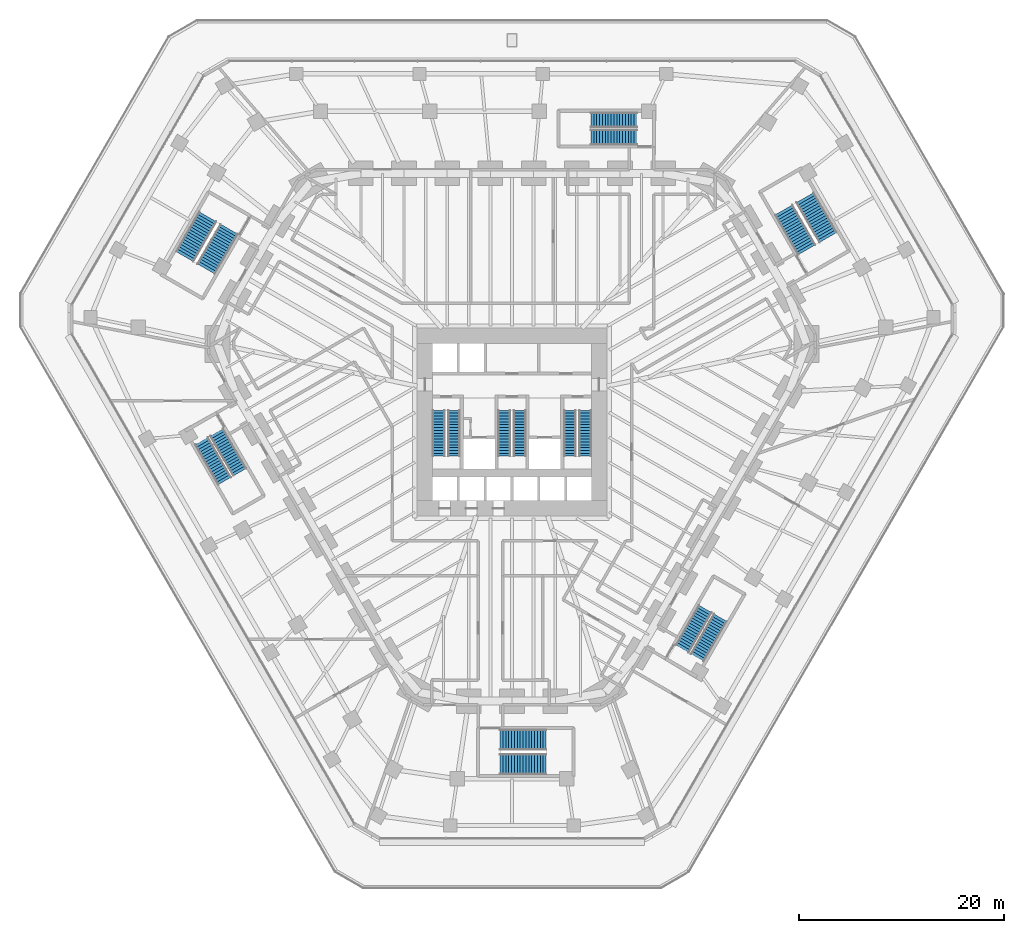
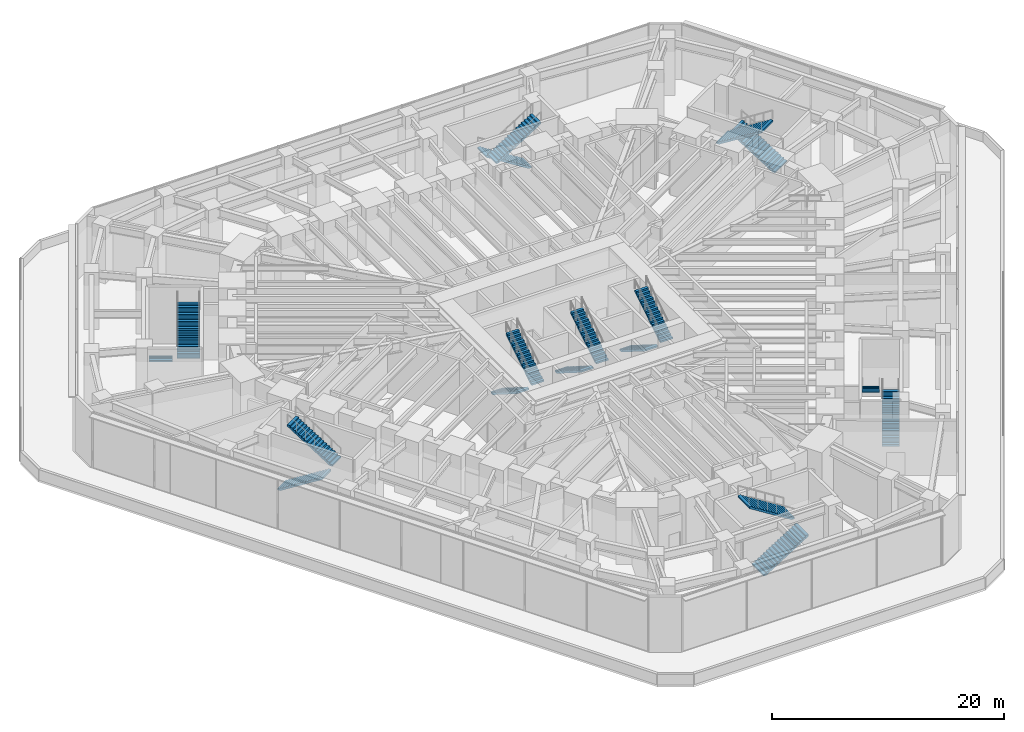
# One storey, part 21 of 25: 18 stair flights, 9 elements without a shape of their own.
"""IFC4 building model written with IfcOpenShell, lengths in metres."""

from ifc_helpers import new_model, si_unit, direction, frame, origin, place, context, subcontext, project, spatial, polyline, outline, extrude, material, type_object, element, aggregate, save


model = new_model("IFC4")

# Units and contexts
model_context = context("Model", 3, precision=1e-05, world=origin(), true_north=direction((0.0, 1.0)))
body_context = subcontext(model_context, "Body", "Model", "MODEL_VIEW")
ifc_project = project(units=[si_unit("LENGTHUNIT", "METRE"), si_unit("AREAUNIT", "SQUARE_METRE"), si_unit("VOLUMEUNIT", "CUBIC_METRE"), si_unit("PLANEANGLEUNIT", "RADIAN"), si_unit("MASSUNIT", "GRAM", prefix="KILO")], contexts=[model_context])

# Site, building, storey
site_placement = place(None, origin())
site = spatial("IfcSite", under=ifc_project, at=site_placement, CompositionType="ELEMENT")
building_placement = place(site_placement, origin())
building = spatial("IfcBuilding", under=site, at=building_placement, Name="Sandreach Pilgrim Tower", CompositionType="ELEMENT")
storey_placement = place(building_placement, frame((0.0, 0.0, 6.0)))
storey = spatial("IfcBuildingStorey", under=building, at=storey_placement, Name="L01", CompositionType="ELEMENT", Elevation=6.0)

# Stair, stair flights
ifc_material_1 = material(Name="Concrete 8000 psi", Category="concrete")
stair_type_1 = type_object("IfcStairType", Name="Core exit stair", PredefinedType="HALF_TURN_STAIR", material=ifc_material_1)
stair_1_placement = place(storey_placement, origin())
stair_1 = element("IfcStair", 1, at=stair_1_placement, inside=storey, type_object=stair_type_1, Name="Exit stair ST1 L01", PredefinedType="HALF_TURN_STAIR")
ifc_material_2 = material(Name="Concrete 8000 psi", Category="concrete")
stair_flight_type_1 = type_object("IfcStairFlightType", Name="Core stair flight 1200", PredefinedType="STRAIGHT", material=ifc_material_2)
stair_flight_1_placement = place(storey_placement, frame((-7.14990234375, -0.39990234375, 0.0), z_axis=(0.0, 0.0, 1.0), x_axis=(0.0, -1.0, 0.0)))
stair_flight_1 = element("IfcStairFlight", 2, at=stair_flight_1_placement, type_object=stair_flight_type_1, Name="ST1 flight 1", NumberOfRisers=17, NumberOfTreads=16, PredefinedType="STRAIGHT", RiserHeight=0.176470588, TreadLength=0.28, context=body_context, shape_type="SweptSolid", body=[
    extrude(outline(polyline([(0.0, 0.0), (0.0, 0.176513671875), (0.280029296875, 0.176513671875), (0.280029296875, 0.35302734375), (0.56005859375, 0.35302734375), (0.56005859375, 0.529296875), (0.840087890625, 0.529296875), (0.840087890625, 0.705810546875), (1.1201171875, 0.705810546875), (1.1201171875, 0.88232421875), (1.39990234375, 0.88232421875), (1.39990234375, 1.058837890625), (1.679931640625, 1.058837890625), (1.679931640625, 1.2353515625), (1.9599609375, 1.2353515625), (1.9599609375, 1.411865234375), (2.239990234375, 1.411865234375), (2.239990234375, 1.588134765625), (2.52001953125, 1.588134765625), (2.52001953125, 1.7646484375), (2.800048828125, 1.7646484375), (2.800048828125, 1.941162109375), (3.080078125, 1.941162109375), (3.080078125, 2.11767578125), (3.360107421875, 2.11767578125), (3.360107421875, 2.294189453125), (3.639892578125, 2.294189453125), (3.639892578125, 2.470703125), (3.919921875, 2.470703125), (3.919921875, 2.64697265625), (4.199951171875, 2.64697265625), (4.199951171875, 2.823486328125), (4.47998046875, 2.823486328125), (4.47998046875, 3.0), (4.47998046875, 2.646240234375), (0.28125, 0.0), (0.0, 0.0)])), frame((0.0, 0.60009765625, 0.0), z_axis=(0.0, -1.0, 0.0), x_axis=(1.0, 0.0, 0.0)), (0.0, 0.0, 1.0), 1.199951171875),
])
stair_flight_2_placement = place(storey_placement, frame((-5.64990234375, -4.8798828125, 3.0), z_axis=(0.0, 0.0, 1.0), x_axis=(0.0, 1.0, 0.0)))
stair_flight_2 = element("IfcStairFlight", 3, at=stair_flight_2_placement, type_object=stair_flight_type_1, Name="ST1 flight 2", NumberOfRisers=17, NumberOfTreads=16, PredefinedType="STRAIGHT", RiserHeight=0.176470588, TreadLength=0.28, context=body_context, shape_type="SweptSolid", body=[
    extrude(outline(polyline([(0.0, 0.0), (0.0, 0.176513671875), (0.280029296875, 0.176513671875), (0.280029296875, 0.35302734375), (0.56005859375, 0.35302734375), (0.56005859375, 0.529296875), (0.840087890625, 0.529296875), (0.840087890625, 0.705810546875), (1.1201171875, 0.705810546875), (1.1201171875, 0.88232421875), (1.39990234375, 0.88232421875), (1.39990234375, 1.058837890625), (1.679931640625, 1.058837890625), (1.679931640625, 1.2353515625), (1.9599609375, 1.2353515625), (1.9599609375, 1.411865234375), (2.239990234375, 1.411865234375), (2.239990234375, 1.588134765625), (2.52001953125, 1.588134765625), (2.52001953125, 1.7646484375), (2.800048828125, 1.7646484375), (2.800048828125, 1.941162109375), (3.080078125, 1.941162109375), (3.080078125, 2.11767578125), (3.360107421875, 2.11767578125), (3.360107421875, 2.294189453125), (3.639892578125, 2.294189453125), (3.639892578125, 2.470703125), (3.919921875, 2.470703125), (3.919921875, 2.64697265625), (4.199951171875, 2.64697265625), (4.199951171875, 2.823486328125), (4.47998046875, 2.823486328125), (4.47998046875, 3.0), (4.47998046875, 2.646240234375), (0.28125, 0.0), (0.0, 0.0)])), frame((0.0, 0.60009765625, 0.0), z_axis=(0.0, -1.0, 0.0), x_axis=(1.0, 0.0, 0.0)), (0.0, 0.0, 1.0), 1.199951171875),
])
aggregate(stair_1, [stair_flight_1, stair_flight_2])

stair_2_placement = place(storey_placement, origin())
stair_2 = element("IfcStair", 4, at=stair_2_placement, inside=storey, type_object=stair_type_1, Name="Exit stair ST3 L01", PredefinedType="HALF_TURN_STAIR")
stair_flight_3_placement = place(storey_placement, frame((-0.75, -0.39990234375, 0.0), z_axis=(0.0, 0.0, 1.0), x_axis=(0.0, -1.0, 0.0)))
stair_flight_3 = element("IfcStairFlight", 5, at=stair_flight_3_placement, type_object=stair_flight_type_1, Name="ST3 flight 1", NumberOfRisers=17, NumberOfTreads=16, PredefinedType="STRAIGHT", RiserHeight=0.176470588, TreadLength=0.28, context=body_context, shape_type="SweptSolid", body=[
    extrude(outline(polyline([(0.0, 0.0), (0.0, 0.176513671875), (0.280029296875, 0.176513671875), (0.280029296875, 0.35302734375), (0.56005859375, 0.35302734375), (0.56005859375, 0.529296875), (0.840087890625, 0.529296875), (0.840087890625, 0.705810546875), (1.1201171875, 0.705810546875), (1.1201171875, 0.88232421875), (1.39990234375, 0.88232421875), (1.39990234375, 1.058837890625), (1.679931640625, 1.058837890625), (1.679931640625, 1.2353515625), (1.9599609375, 1.2353515625), (1.9599609375, 1.411865234375), (2.239990234375, 1.411865234375), (2.239990234375, 1.588134765625), (2.52001953125, 1.588134765625), (2.52001953125, 1.7646484375), (2.800048828125, 1.7646484375), (2.800048828125, 1.941162109375), (3.080078125, 1.941162109375), (3.080078125, 2.11767578125), (3.360107421875, 2.11767578125), (3.360107421875, 2.294189453125), (3.639892578125, 2.294189453125), (3.639892578125, 2.470703125), (3.919921875, 2.470703125), (3.919921875, 2.64697265625), (4.199951171875, 2.64697265625), (4.199951171875, 2.823486328125), (4.47998046875, 2.823486328125), (4.47998046875, 3.0), (4.47998046875, 2.646240234375), (0.28125, 0.0), (0.0, 0.0)])), frame((0.0, 0.60009765625, 0.0), z_axis=(0.0, -1.0, 0.0), x_axis=(1.0, 0.0, 0.0)), (0.0, 0.0, 1.0), 1.199951171875),
])
stair_flight_4_placement = place(storey_placement, frame((0.75, -4.8798828125, 3.0), z_axis=(0.0, 0.0, 1.0), x_axis=(0.0, 1.0, 0.0)))
stair_flight_4 = element("IfcStairFlight", 6, at=stair_flight_4_placement, type_object=stair_flight_type_1, Name="ST3 flight 2", NumberOfRisers=17, NumberOfTreads=16, PredefinedType="STRAIGHT", RiserHeight=0.176470588, TreadLength=0.28, context=body_context, shape_type="SweptSolid", body=[
    extrude(outline(polyline([(0.0, 0.0), (0.0, 0.176513671875), (0.280029296875, 0.176513671875), (0.280029296875, 0.35302734375), (0.56005859375, 0.35302734375), (0.56005859375, 0.529296875), (0.840087890625, 0.529296875), (0.840087890625, 0.705810546875), (1.1201171875, 0.705810546875), (1.1201171875, 0.88232421875), (1.39990234375, 0.88232421875), (1.39990234375, 1.058837890625), (1.679931640625, 1.058837890625), (1.679931640625, 1.2353515625), (1.9599609375, 1.2353515625), (1.9599609375, 1.411865234375), (2.239990234375, 1.411865234375), (2.239990234375, 1.588134765625), (2.52001953125, 1.588134765625), (2.52001953125, 1.7646484375), (2.800048828125, 1.7646484375), (2.800048828125, 1.941162109375), (3.080078125, 1.941162109375), (3.080078125, 2.11767578125), (3.360107421875, 2.11767578125), (3.360107421875, 2.294189453125), (3.639892578125, 2.294189453125), (3.639892578125, 2.470703125), (3.919921875, 2.470703125), (3.919921875, 2.64697265625), (4.199951171875, 2.64697265625), (4.199951171875, 2.823486328125), (4.47998046875, 2.823486328125), (4.47998046875, 3.0), (4.47998046875, 2.646240234375), (0.28125, 0.0), (0.0, 0.0)])), frame((0.0, 0.60009765625, 0.0), z_axis=(0.0, -1.0, 0.0), x_axis=(1.0, 0.0, 0.0)), (0.0, 0.0, 1.0), 1.199951171875),
])
aggregate(stair_2, [stair_flight_3, stair_flight_4])

stair_3_placement = place(storey_placement, origin())
stair_3 = element("IfcStair", 7, at=stair_3_placement, inside=storey, type_object=stair_type_1, Name="Exit stair ST2 L01", PredefinedType="HALF_TURN_STAIR")
stair_flight_5_placement = place(storey_placement, frame((5.64990234375, -0.39990234375, 0.0), z_axis=(0.0, 0.0, 1.0), x_axis=(0.0, -1.0, 0.0)))
stair_flight_5 = element("IfcStairFlight", 8, at=stair_flight_5_placement, type_object=stair_flight_type_1, Name="ST2 flight 1", NumberOfRisers=17, NumberOfTreads=16, PredefinedType="STRAIGHT", RiserHeight=0.176470588, TreadLength=0.28, context=body_context, shape_type="SweptSolid", body=[
    extrude(outline(polyline([(0.0, 0.0), (0.0, 0.176513671875), (0.280029296875, 0.176513671875), (0.280029296875, 0.35302734375), (0.56005859375, 0.35302734375), (0.56005859375, 0.529296875), (0.840087890625, 0.529296875), (0.840087890625, 0.705810546875), (1.1201171875, 0.705810546875), (1.1201171875, 0.88232421875), (1.39990234375, 0.88232421875), (1.39990234375, 1.058837890625), (1.679931640625, 1.058837890625), (1.679931640625, 1.2353515625), (1.9599609375, 1.2353515625), (1.9599609375, 1.411865234375), (2.239990234375, 1.411865234375), (2.239990234375, 1.588134765625), (2.52001953125, 1.588134765625), (2.52001953125, 1.7646484375), (2.800048828125, 1.7646484375), (2.800048828125, 1.941162109375), (3.080078125, 1.941162109375), (3.080078125, 2.11767578125), (3.360107421875, 2.11767578125), (3.360107421875, 2.294189453125), (3.639892578125, 2.294189453125), (3.639892578125, 2.470703125), (3.919921875, 2.470703125), (3.919921875, 2.64697265625), (4.199951171875, 2.64697265625), (4.199951171875, 2.823486328125), (4.47998046875, 2.823486328125), (4.47998046875, 3.0), (4.47998046875, 2.646240234375), (0.28125, 0.0), (0.0, 0.0)])), frame((0.0, 0.60009765625, 0.0), z_axis=(0.0, -1.0, 0.0), x_axis=(1.0, 0.0, 0.0)), (0.0, 0.0, 1.0), 1.199951171875),
])
stair_flight_6_placement = place(storey_placement, frame((7.14990234375, -4.8798828125, 3.0), z_axis=(0.0, 0.0, 1.0), x_axis=(0.0, 1.0, 0.0)))
stair_flight_6 = element("IfcStairFlight", 9, at=stair_flight_6_placement, type_object=stair_flight_type_1, Name="ST2 flight 2", NumberOfRisers=17, NumberOfTreads=16, PredefinedType="STRAIGHT", RiserHeight=0.176470588, TreadLength=0.28, context=body_context, shape_type="SweptSolid", body=[
    extrude(outline(polyline([(0.0, 0.0), (0.0, 0.176513671875), (0.280029296875, 0.176513671875), (0.280029296875, 0.35302734375), (0.56005859375, 0.35302734375), (0.56005859375, 0.529296875), (0.840087890625, 0.529296875), (0.840087890625, 0.705810546875), (1.1201171875, 0.705810546875), (1.1201171875, 0.88232421875), (1.39990234375, 0.88232421875), (1.39990234375, 1.058837890625), (1.679931640625, 1.058837890625), (1.679931640625, 1.2353515625), (1.9599609375, 1.2353515625), (1.9599609375, 1.411865234375), (2.239990234375, 1.411865234375), (2.239990234375, 1.588134765625), (2.52001953125, 1.588134765625), (2.52001953125, 1.7646484375), (2.800048828125, 1.7646484375), (2.800048828125, 1.941162109375), (3.080078125, 1.941162109375), (3.080078125, 2.11767578125), (3.360107421875, 2.11767578125), (3.360107421875, 2.294189453125), (3.639892578125, 2.294189453125), (3.639892578125, 2.470703125), (3.919921875, 2.470703125), (3.919921875, 2.64697265625), (4.199951171875, 2.64697265625), (4.199951171875, 2.823486328125), (4.47998046875, 2.823486328125), (4.47998046875, 3.0), (4.47998046875, 2.646240234375), (0.28125, 0.0), (0.0, 0.0)])), frame((0.0, 0.60009765625, 0.0), z_axis=(0.0, -1.0, 0.0), x_axis=(1.0, 0.0, 0.0)), (0.0, 0.0, 1.0), 1.199951171875),
])
aggregate(stair_3, [stair_flight_5, stair_flight_6])

ifc_material_3 = material(Name="Concrete 8000 psi", Category="concrete")
stair_type_2 = type_object("IfcStairType", Name="Narrow podium exit stair", PredefinedType="HALF_TURN_STAIR", material=ifc_material_3)
stair_4_placement = place(storey_placement, origin())
stair_4 = element("IfcStair", 10, at=stair_4_placement, inside=storey, type_object=stair_type_2, Name="Exit stair ST7 L01", PredefinedType="HALF_TURN_STAIR")
ifc_material_4 = material(Name="Concrete 8000 psi", Category="concrete")
stair_flight_type_2 = type_object("IfcStairFlightType", Name="Podium stair flight 1500", PredefinedType="STRAIGHT", material=ifc_material_4)
stair_flight_7_placement = place(storey_placement, frame((12.1796875, 27.898681640625, 0.0), z_axis=(0.0, 0.0, 1.0), x_axis=(-1.0, 0.0, 0.0)))
stair_flight_7 = element("IfcStairFlight", 11, at=stair_flight_7_placement, type_object=stair_flight_type_2, Name="ST7 flight 1", NumberOfRisers=17, NumberOfTreads=16, PredefinedType="STRAIGHT", RiserHeight=0.176470588, TreadLength=0.28, context=body_context, shape_type="SweptSolid", body=[
    extrude(outline(polyline([(0.0, 0.0), (0.0, 0.176513671875), (0.280029296875, 0.176513671875), (0.280029296875, 0.35302734375), (0.56005859375, 0.35302734375), (0.56005859375, 0.529296875), (0.840087890625, 0.529296875), (0.840087890625, 0.705810546875), (1.1201171875, 0.705810546875), (1.1201171875, 0.88232421875), (1.39990234375, 0.88232421875), (1.39990234375, 1.058837890625), (1.679931640625, 1.058837890625), (1.679931640625, 1.2353515625), (1.9599609375, 1.2353515625), (1.9599609375, 1.411865234375), (2.239990234375, 1.411865234375), (2.239990234375, 1.588134765625), (2.52001953125, 1.588134765625), (2.52001953125, 1.7646484375), (2.800048828125, 1.7646484375), (2.800048828125, 1.941162109375), (3.080078125, 1.941162109375), (3.080078125, 2.11767578125), (3.360107421875, 2.11767578125), (3.360107421875, 2.294189453125), (3.639892578125, 2.294189453125), (3.639892578125, 2.470703125), (3.919921875, 2.470703125), (3.919921875, 2.64697265625), (4.199951171875, 2.64697265625), (4.199951171875, 2.823486328125), (4.47998046875, 2.823486328125), (4.47998046875, 3.0), (4.47998046875, 2.646240234375), (0.28125, 0.0), (0.0, 0.0)])), frame((0.0, 0.75, 0.0), z_axis=(0.0, -1.0, 0.0), x_axis=(1.0, 0.0, 0.0)), (0.0, 0.0, 1.0), 1.5),
])
stair_flight_8_placement = place(storey_placement, frame((7.69970703125, 26.19873046875, 3.0), z_axis=(0.0, 0.0, 1.0), x_axis=(1.0, 0.0, 0.0)))
stair_flight_8 = element("IfcStairFlight", 12, at=stair_flight_8_placement, type_object=stair_flight_type_2, Name="ST7 flight 2", NumberOfRisers=17, NumberOfTreads=16, PredefinedType="STRAIGHT", RiserHeight=0.176470588, TreadLength=0.28, context=body_context, shape_type="SweptSolid", body=[
    extrude(outline(polyline([(0.0, 0.0), (0.0, 0.176513671875), (0.280029296875, 0.176513671875), (0.280029296875, 0.35302734375), (0.56005859375, 0.35302734375), (0.56005859375, 0.529296875), (0.840087890625, 0.529296875), (0.840087890625, 0.705810546875), (1.1201171875, 0.705810546875), (1.1201171875, 0.88232421875), (1.39990234375, 0.88232421875), (1.39990234375, 1.058837890625), (1.679931640625, 1.058837890625), (1.679931640625, 1.2353515625), (1.9599609375, 1.2353515625), (1.9599609375, 1.411865234375), (2.239990234375, 1.411865234375), (2.239990234375, 1.588134765625), (2.52001953125, 1.588134765625), (2.52001953125, 1.7646484375), (2.800048828125, 1.7646484375), (2.800048828125, 1.941162109375), (3.080078125, 1.941162109375), (3.080078125, 2.11767578125), (3.360107421875, 2.11767578125), (3.360107421875, 2.294189453125), (3.639892578125, 2.294189453125), (3.639892578125, 2.470703125), (3.919921875, 2.470703125), (3.919921875, 2.64697265625), (4.199951171875, 2.64697265625), (4.199951171875, 2.823486328125), (4.47998046875, 2.823486328125), (4.47998046875, 3.0), (4.47998046875, 2.646240234375), (0.28125, 0.0), (0.0, 0.0)])), frame((0.0, 0.75, 0.0), z_axis=(0.0, -1.0, 0.0), x_axis=(1.0, 0.0, 0.0)), (0.0, 0.0, 1.0), 1.5),
])
aggregate(stair_4, [stair_flight_7, stair_flight_8])

stair_5_placement = place(storey_placement, origin())
stair_5 = element("IfcStair", 13, at=stair_5_placement, inside=storey, type_object=stair_type_2, Name="Exit stair ST8 L01", PredefinedType="HALF_TURN_STAIR")
stair_flight_9_placement = place(storey_placement, frame((18.071044921875, -24.497314453125, 0.0), z_axis=(0.0, 0.0, 1.0), x_axis=(0.5, 0.866025403784, 0.0)))
stair_flight_9 = element("IfcStairFlight", 14, at=stair_flight_9_placement, type_object=stair_flight_type_2, Name="ST8 flight 1", NumberOfRisers=17, NumberOfTreads=16, PredefinedType="STRAIGHT", RiserHeight=0.176470588, TreadLength=0.28, context=body_context, shape_type="SweptSolid", body=[
    extrude(outline(polyline([(0.0, 0.0), (0.0, 0.176513671875), (0.280029296875, 0.176513671875), (0.280029296875, 0.35302734375), (0.56005859375, 0.35302734375), (0.56005859375, 0.529296875), (0.840087890625, 0.529296875), (0.840087890625, 0.705810546875), (1.1201171875, 0.705810546875), (1.1201171875, 0.88232421875), (1.39990234375, 0.88232421875), (1.39990234375, 1.058837890625), (1.679931640625, 1.058837890625), (1.679931640625, 1.2353515625), (1.9599609375, 1.2353515625), (1.9599609375, 1.411865234375), (2.239990234375, 1.411865234375), (2.239990234375, 1.588134765625), (2.52001953125, 1.588134765625), (2.52001953125, 1.7646484375), (2.800048828125, 1.7646484375), (2.800048828125, 1.941162109375), (3.080078125, 1.941162109375), (3.080078125, 2.11767578125), (3.360107421875, 2.11767578125), (3.360107421875, 2.294189453125), (3.639892578125, 2.294189453125), (3.639892578125, 2.470703125), (3.919921875, 2.470703125), (3.919921875, 2.64697265625), (4.199951171875, 2.64697265625), (4.199951171875, 2.823486328125), (4.47998046875, 2.823486328125), (4.47998046875, 3.0), (4.47998046875, 2.646240234375), (0.28125, 0.0), (0.0, 0.0)])), frame((0.0, 0.75, 0.0), z_axis=(0.0, -1.0, 0.0), x_axis=(1.0, 0.0, 0.0)), (0.0, 0.0, 1.0), 1.5),
])
stair_flight_10_placement = place(storey_placement, frame((18.8388671875, -19.767578125, 3.0), z_axis=(0.0, 0.0, 1.0), x_axis=(-0.5, -0.866025403784, 0.0)))
stair_flight_10 = element("IfcStairFlight", 15, at=stair_flight_10_placement, type_object=stair_flight_type_2, Name="ST8 flight 2", NumberOfRisers=17, NumberOfTreads=16, PredefinedType="STRAIGHT", RiserHeight=0.176470588, TreadLength=0.28, context=body_context, shape_type="SweptSolid", body=[
    extrude(outline(polyline([(0.0, 0.0), (0.0, 0.176513671875), (0.280029296875, 0.176513671875), (0.280029296875, 0.35302734375), (0.56005859375, 0.35302734375), (0.56005859375, 0.529296875), (0.840087890625, 0.529296875), (0.840087890625, 0.705810546875), (1.1201171875, 0.705810546875), (1.1201171875, 0.88232421875), (1.39990234375, 0.88232421875), (1.39990234375, 1.058837890625), (1.679931640625, 1.058837890625), (1.679931640625, 1.2353515625), (1.9599609375, 1.2353515625), (1.9599609375, 1.411865234375), (2.239990234375, 1.411865234375), (2.239990234375, 1.588134765625), (2.52001953125, 1.588134765625), (2.52001953125, 1.7646484375), (2.800048828125, 1.7646484375), (2.800048828125, 1.941162109375), (3.080078125, 1.941162109375), (3.080078125, 2.11767578125), (3.360107421875, 2.11767578125), (3.360107421875, 2.294189453125), (3.639892578125, 2.294189453125), (3.639892578125, 2.470703125), (3.919921875, 2.470703125), (3.919921875, 2.64697265625), (4.199951171875, 2.64697265625), (4.199951171875, 2.823486328125), (4.47998046875, 2.823486328125), (4.47998046875, 3.0), (4.47998046875, 2.646240234375), (0.28125, 0.0), (0.0, 0.0)])), frame((0.0, 0.75, 0.0), z_axis=(0.0, -1.0, 0.0), x_axis=(1.0, 0.0, 0.0)), (0.0, 0.0, 1.0), 1.5),
])
aggregate(stair_5, [stair_flight_9, stair_flight_10])

stair_6_placement = place(storey_placement, origin())
stair_6 = element("IfcStair", 16, at=stair_6_placement, inside=storey, type_object=stair_type_2, Name="Exit stair ST9 L01", PredefinedType="HALF_TURN_STAIR")
stair_flight_11_placement = place(storey_placement, frame((-30.2509765625, -3.4013671875, 0.0), z_axis=(0.0, 0.0, 1.0), x_axis=(0.5, -0.866025403784, 0.0)))
stair_flight_11 = element("IfcStairFlight", 17, at=stair_flight_11_placement, type_object=stair_flight_type_2, Name="ST9 flight 1", NumberOfRisers=17, NumberOfTreads=16, PredefinedType="STRAIGHT", RiserHeight=0.176470588, TreadLength=0.28, context=body_context, shape_type="SweptSolid", body=[
    extrude(outline(polyline([(0.0, 0.0), (0.0, 0.176513671875), (0.280029296875, 0.176513671875), (0.280029296875, 0.35302734375), (0.56005859375, 0.35302734375), (0.56005859375, 0.529296875), (0.840087890625, 0.529296875), (0.840087890625, 0.705810546875), (1.1201171875, 0.705810546875), (1.1201171875, 0.88232421875), (1.39990234375, 0.88232421875), (1.39990234375, 1.058837890625), (1.679931640625, 1.058837890625), (1.679931640625, 1.2353515625), (1.9599609375, 1.2353515625), (1.9599609375, 1.411865234375), (2.239990234375, 1.411865234375), (2.239990234375, 1.588134765625), (2.52001953125, 1.588134765625), (2.52001953125, 1.7646484375), (2.800048828125, 1.7646484375), (2.800048828125, 1.941162109375), (3.080078125, 1.941162109375), (3.080078125, 2.11767578125), (3.360107421875, 2.11767578125), (3.360107421875, 2.294189453125), (3.639892578125, 2.294189453125), (3.639892578125, 2.470703125), (3.919921875, 2.470703125), (3.919921875, 2.64697265625), (4.199951171875, 2.64697265625), (4.199951171875, 2.823486328125), (4.47998046875, 2.823486328125), (4.47998046875, 3.0), (4.47998046875, 2.646240234375), (0.28125, 0.0), (0.0, 0.0)])), frame((0.0, 0.75, 0.0), z_axis=(0.0, -1.0, 0.0), x_axis=(1.0, 0.0, 0.0)), (0.0, 0.0, 1.0), 1.5),
])
stair_flight_12_placement = place(storey_placement, frame((-26.53857421875, -6.43115234375, 3.0), z_axis=(0.0, 0.0, 1.0), x_axis=(-0.5, 0.866025403784, 0.0)))
stair_flight_12 = element("IfcStairFlight", 18, at=stair_flight_12_placement, type_object=stair_flight_type_2, Name="ST9 flight 2", NumberOfRisers=17, NumberOfTreads=16, PredefinedType="STRAIGHT", RiserHeight=0.176470588, TreadLength=0.28, context=body_context, shape_type="SweptSolid", body=[
    extrude(outline(polyline([(0.0, 0.0), (0.0, 0.176513671875), (0.280029296875, 0.176513671875), (0.280029296875, 0.35302734375), (0.56005859375, 0.35302734375), (0.56005859375, 0.529296875), (0.840087890625, 0.529296875), (0.840087890625, 0.705810546875), (1.1201171875, 0.705810546875), (1.1201171875, 0.88232421875), (1.39990234375, 0.88232421875), (1.39990234375, 1.058837890625), (1.679931640625, 1.058837890625), (1.679931640625, 1.2353515625), (1.9599609375, 1.2353515625), (1.9599609375, 1.411865234375), (2.239990234375, 1.411865234375), (2.239990234375, 1.588134765625), (2.52001953125, 1.588134765625), (2.52001953125, 1.7646484375), (2.800048828125, 1.7646484375), (2.800048828125, 1.941162109375), (3.080078125, 1.941162109375), (3.080078125, 2.11767578125), (3.360107421875, 2.11767578125), (3.360107421875, 2.294189453125), (3.639892578125, 2.294189453125), (3.639892578125, 2.470703125), (3.919921875, 2.470703125), (3.919921875, 2.64697265625), (4.199951171875, 2.64697265625), (4.199951171875, 2.823486328125), (4.47998046875, 2.823486328125), (4.47998046875, 3.0), (4.47998046875, 2.646240234375), (0.28125, 0.0), (0.0, 0.0)])), frame((0.0, 0.75, 0.0), z_axis=(0.0, -1.0, 0.0), x_axis=(1.0, 0.0, 0.0)), (0.0, 0.0, 1.0), 1.5),
])
aggregate(stair_6, [stair_flight_11, stair_flight_12])

ifc_material_5 = material(Name="Concrete 8000 psi", Category="concrete")
stair_type_3 = type_object("IfcStairType", Name="Podium exit stair", PredefinedType="HALF_TURN_STAIR", material=ifc_material_5)
stair_7_placement = place(storey_placement, origin())
stair_7 = element("IfcStair", 19, at=stair_7_placement, inside=storey, type_object=stair_type_3, Name="Exit stair ST4 L01", PredefinedType="HALF_TURN_STAIR")
ifc_material_6 = material(Name="Concrete 8000 psi", Category="concrete")
stair_flight_type_3 = type_object("IfcStairFlightType", Name="Podium stair flight 2000", PredefinedType="STRAIGHT", material=ifc_material_6)
stair_flight_13_placement = place(storey_placement, frame((30.814208984375, 16.449951171875, 0.0), z_axis=(0.0, 0.0, 1.0), x_axis=(-0.5, 0.866025403784, 0.0)))
stair_flight_13 = element("IfcStairFlight", 20, at=stair_flight_13_placement, type_object=stair_flight_type_3, Name="ST4 flight 1", NumberOfRisers=17, NumberOfTreads=16, PredefinedType="STRAIGHT", RiserHeight=0.176470588, TreadLength=0.28, context=body_context, shape_type="SweptSolid", body=[
    extrude(outline(polyline([(0.0, 0.0), (0.0, 0.176513671875), (0.280029296875, 0.176513671875), (0.280029296875, 0.35302734375), (0.56005859375, 0.35302734375), (0.56005859375, 0.529296875), (0.840087890625, 0.529296875), (0.840087890625, 0.705810546875), (1.1201171875, 0.705810546875), (1.1201171875, 0.88232421875), (1.39990234375, 0.88232421875), (1.39990234375, 1.058837890625), (1.679931640625, 1.058837890625), (1.679931640625, 1.2353515625), (1.9599609375, 1.2353515625), (1.9599609375, 1.411865234375), (2.239990234375, 1.411865234375), (2.239990234375, 1.588134765625), (2.52001953125, 1.588134765625), (2.52001953125, 1.7646484375), (2.800048828125, 1.7646484375), (2.800048828125, 1.941162109375), (3.080078125, 1.941162109375), (3.080078125, 2.11767578125), (3.360107421875, 2.11767578125), (3.360107421875, 2.294189453125), (3.639892578125, 2.294189453125), (3.639892578125, 2.470703125), (3.919921875, 2.470703125), (3.919921875, 2.64697265625), (4.199951171875, 2.64697265625), (4.199951171875, 2.823486328125), (4.47998046875, 2.823486328125), (4.47998046875, 3.0), (4.47998046875, 2.646240234375), (0.28125, 0.0), (0.0, 0.0)])), frame((0.0, 1.0, 0.0), z_axis=(0.0, -1.0, 0.0), x_axis=(1.0, 0.0, 0.0)), (0.0, 0.0, 1.0), 2.0),
])
stair_flight_14_placement = place(storey_placement, frame((26.495849609375, 19.129638671875, 3.0), z_axis=(0.0, 0.0, 1.0), x_axis=(0.5, -0.866025403784, 0.0)))
stair_flight_14 = element("IfcStairFlight", 21, at=stair_flight_14_placement, type_object=stair_flight_type_3, Name="ST4 flight 2", NumberOfRisers=17, NumberOfTreads=16, PredefinedType="STRAIGHT", RiserHeight=0.176470588, TreadLength=0.28, context=body_context, shape_type="SweptSolid", body=[
    extrude(outline(polyline([(0.0, 0.0), (0.0, 0.176513671875), (0.280029296875, 0.176513671875), (0.280029296875, 0.35302734375), (0.56005859375, 0.35302734375), (0.56005859375, 0.529296875), (0.840087890625, 0.529296875), (0.840087890625, 0.705810546875), (1.1201171875, 0.705810546875), (1.1201171875, 0.88232421875), (1.39990234375, 0.88232421875), (1.39990234375, 1.058837890625), (1.679931640625, 1.058837890625), (1.679931640625, 1.2353515625), (1.9599609375, 1.2353515625), (1.9599609375, 1.411865234375), (2.239990234375, 1.411865234375), (2.239990234375, 1.588134765625), (2.52001953125, 1.588134765625), (2.52001953125, 1.7646484375), (2.800048828125, 1.7646484375), (2.800048828125, 1.941162109375), (3.080078125, 1.941162109375), (3.080078125, 2.11767578125), (3.360107421875, 2.11767578125), (3.360107421875, 2.294189453125), (3.639892578125, 2.294189453125), (3.639892578125, 2.470703125), (3.919921875, 2.470703125), (3.919921875, 2.64697265625), (4.199951171875, 2.64697265625), (4.199951171875, 2.823486328125), (4.47998046875, 2.823486328125), (4.47998046875, 3.0), (4.47998046875, 2.646240234375), (0.28125, 0.0), (0.0, 0.0)])), frame((0.0, 1.0, 0.0), z_axis=(0.0, -1.0, 0.0), x_axis=(1.0, 0.0, 0.0)), (0.0, 0.0, 1.0), 2.0),
])
aggregate(stair_7, [stair_flight_13, stair_flight_14])

stair_8_placement = place(storey_placement, origin())
stair_8 = element("IfcStair", 22, at=stair_8_placement, inside=storey, type_object=stair_type_3, Name="Exit stair ST5 L01", PredefinedType="HALF_TURN_STAIR")
stair_flight_15_placement = place(storey_placement, frame((-1.1611328125, -34.910888671875, 0.0), z_axis=(0.0, 0.0, 1.0), x_axis=(1.0, 0.0, 0.0)))
stair_flight_15 = element("IfcStairFlight", 23, at=stair_flight_15_placement, type_object=stair_flight_type_3, Name="ST5 flight 1", NumberOfRisers=17, NumberOfTreads=16, PredefinedType="STRAIGHT", RiserHeight=0.176470588, TreadLength=0.28, context=body_context, shape_type="SweptSolid", body=[
    extrude(outline(polyline([(0.0, 0.0), (0.0, 0.176513671875), (0.280029296875, 0.176513671875), (0.280029296875, 0.35302734375), (0.56005859375, 0.35302734375), (0.56005859375, 0.529296875), (0.840087890625, 0.529296875), (0.840087890625, 0.705810546875), (1.1201171875, 0.705810546875), (1.1201171875, 0.88232421875), (1.39990234375, 0.88232421875), (1.39990234375, 1.058837890625), (1.679931640625, 1.058837890625), (1.679931640625, 1.2353515625), (1.9599609375, 1.2353515625), (1.9599609375, 1.411865234375), (2.239990234375, 1.411865234375), (2.239990234375, 1.588134765625), (2.52001953125, 1.588134765625), (2.52001953125, 1.7646484375), (2.800048828125, 1.7646484375), (2.800048828125, 1.941162109375), (3.080078125, 1.941162109375), (3.080078125, 2.11767578125), (3.360107421875, 2.11767578125), (3.360107421875, 2.294189453125), (3.639892578125, 2.294189453125), (3.639892578125, 2.470703125), (3.919921875, 2.470703125), (3.919921875, 2.64697265625), (4.199951171875, 2.64697265625), (4.199951171875, 2.823486328125), (4.47998046875, 2.823486328125), (4.47998046875, 3.0), (4.47998046875, 2.646240234375), (0.28125, 0.0), (0.0, 0.0)])), frame((0.0, 1.0, 0.0), z_axis=(0.0, -1.0, 0.0), x_axis=(1.0, 0.0, 0.0)), (0.0, 0.0, 1.0), 2.0),
])
stair_flight_16_placement = place(storey_placement, frame((3.31884765625, -32.510986328125, 3.0), z_axis=(0.0, 0.0, 1.0), x_axis=(-1.0, 0.0, 0.0)))
stair_flight_16 = element("IfcStairFlight", 24, at=stair_flight_16_placement, type_object=stair_flight_type_3, Name="ST5 flight 2", NumberOfRisers=17, NumberOfTreads=16, PredefinedType="STRAIGHT", RiserHeight=0.176470588, TreadLength=0.28, context=body_context, shape_type="SweptSolid", body=[
    extrude(outline(polyline([(0.0, 0.0), (0.0, 0.176513671875), (0.280029296875, 0.176513671875), (0.280029296875, 0.35302734375), (0.56005859375, 0.35302734375), (0.56005859375, 0.529296875), (0.840087890625, 0.529296875), (0.840087890625, 0.705810546875), (1.1201171875, 0.705810546875), (1.1201171875, 0.88232421875), (1.39990234375, 0.88232421875), (1.39990234375, 1.058837890625), (1.679931640625, 1.058837890625), (1.679931640625, 1.2353515625), (1.9599609375, 1.2353515625), (1.9599609375, 1.411865234375), (2.239990234375, 1.411865234375), (2.239990234375, 1.588134765625), (2.52001953125, 1.588134765625), (2.52001953125, 1.7646484375), (2.800048828125, 1.7646484375), (2.800048828125, 1.941162109375), (3.080078125, 1.941162109375), (3.080078125, 2.11767578125), (3.360107421875, 2.11767578125), (3.360107421875, 2.294189453125), (3.639892578125, 2.294189453125), (3.639892578125, 2.470703125), (3.919921875, 2.470703125), (3.919921875, 2.64697265625), (4.199951171875, 2.64697265625), (4.199951171875, 2.823486328125), (4.47998046875, 2.823486328125), (4.47998046875, 3.0), (4.47998046875, 2.646240234375), (0.28125, 0.0), (0.0, 0.0)])), frame((0.0, 1.0, 0.0), z_axis=(0.0, -1.0, 0.0), x_axis=(1.0, 0.0, 0.0)), (0.0, 0.0, 1.0), 2.0),
])
aggregate(stair_8, [stair_flight_15, stair_flight_16])

stair_9_placement = place(storey_placement, origin())
stair_9 = element("IfcStair", 25, at=stair_9_placement, inside=storey, type_object=stair_type_3, Name="Exit stair ST6 L01", PredefinedType="HALF_TURN_STAIR")
stair_flight_17_placement = place(storey_placement, frame((-29.653076171875, 18.4609375, 0.0), z_axis=(0.0, 0.0, 1.0), x_axis=(-0.5, -0.866025403784, 0.0)))
stair_flight_17 = element("IfcStairFlight", 26, at=stair_flight_17_placement, type_object=stair_flight_type_3, Name="ST6 flight 1", NumberOfRisers=17, NumberOfTreads=16, PredefinedType="STRAIGHT", RiserHeight=0.176470588, TreadLength=0.28, context=body_context, shape_type="SweptSolid", body=[
    extrude(outline(polyline([(0.0, 0.0), (0.0, 0.176513671875), (0.280029296875, 0.176513671875), (0.280029296875, 0.35302734375), (0.56005859375, 0.35302734375), (0.56005859375, 0.529296875), (0.840087890625, 0.529296875), (0.840087890625, 0.705810546875), (1.1201171875, 0.705810546875), (1.1201171875, 0.88232421875), (1.39990234375, 0.88232421875), (1.39990234375, 1.058837890625), (1.679931640625, 1.058837890625), (1.679931640625, 1.2353515625), (1.9599609375, 1.2353515625), (1.9599609375, 1.411865234375), (2.239990234375, 1.411865234375), (2.239990234375, 1.588134765625), (2.52001953125, 1.588134765625), (2.52001953125, 1.7646484375), (2.800048828125, 1.7646484375), (2.800048828125, 1.941162109375), (3.080078125, 1.941162109375), (3.080078125, 2.11767578125), (3.360107421875, 2.11767578125), (3.360107421875, 2.294189453125), (3.639892578125, 2.294189453125), (3.639892578125, 2.470703125), (3.919921875, 2.470703125), (3.919921875, 2.64697265625), (4.199951171875, 2.64697265625), (4.199951171875, 2.823486328125), (4.47998046875, 2.823486328125), (4.47998046875, 3.0), (4.47998046875, 2.646240234375), (0.28125, 0.0), (0.0, 0.0)])), frame((0.0, 1.0, 0.0), z_axis=(0.0, -1.0, 0.0), x_axis=(1.0, 0.0, 0.0)), (0.0, 0.0, 1.0), 2.0),
])
stair_flight_18_placement = place(storey_placement, frame((-29.814697265625, 13.38134765625, 3.0), z_axis=(0.0, 0.0, 1.0), x_axis=(0.5, 0.866025403784, 0.0)))
stair_flight_18 = element("IfcStairFlight", 27, at=stair_flight_18_placement, type_object=stair_flight_type_3, Name="ST6 flight 2", NumberOfRisers=17, NumberOfTreads=16, PredefinedType="STRAIGHT", RiserHeight=0.176470588, TreadLength=0.28, context=body_context, shape_type="SweptSolid", body=[
    extrude(outline(polyline([(0.0, 0.0), (0.0, 0.176513671875), (0.280029296875, 0.176513671875), (0.280029296875, 0.35302734375), (0.56005859375, 0.35302734375), (0.56005859375, 0.529296875), (0.840087890625, 0.529296875), (0.840087890625, 0.705810546875), (1.1201171875, 0.705810546875), (1.1201171875, 0.88232421875), (1.39990234375, 0.88232421875), (1.39990234375, 1.058837890625), (1.679931640625, 1.058837890625), (1.679931640625, 1.2353515625), (1.9599609375, 1.2353515625), (1.9599609375, 1.411865234375), (2.239990234375, 1.411865234375), (2.239990234375, 1.588134765625), (2.52001953125, 1.588134765625), (2.52001953125, 1.7646484375), (2.800048828125, 1.7646484375), (2.800048828125, 1.941162109375), (3.080078125, 1.941162109375), (3.080078125, 2.11767578125), (3.360107421875, 2.11767578125), (3.360107421875, 2.294189453125), (3.639892578125, 2.294189453125), (3.639892578125, 2.470703125), (3.919921875, 2.470703125), (3.919921875, 2.64697265625), (4.199951171875, 2.64697265625), (4.199951171875, 2.823486328125), (4.47998046875, 2.823486328125), (4.47998046875, 3.0), (4.47998046875, 2.646240234375), (0.28125, 0.0), (0.0, 0.0)])), frame((0.0, 1.0, 0.0), z_axis=(0.0, -1.0, 0.0), x_axis=(1.0, 0.0, 0.0)), (0.0, 0.0, 1.0), 2.0),
])
aggregate(stair_9, [stair_flight_17, stair_flight_18])

save(model, "model.ifc")
